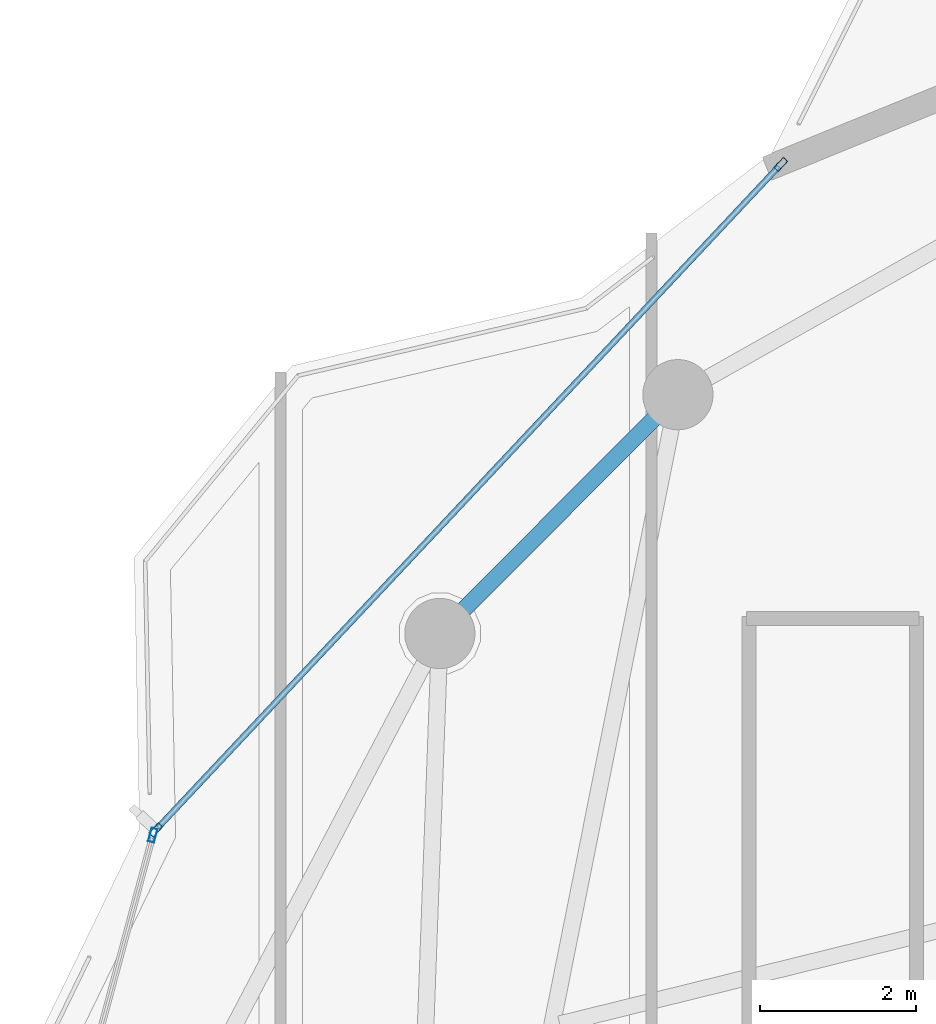
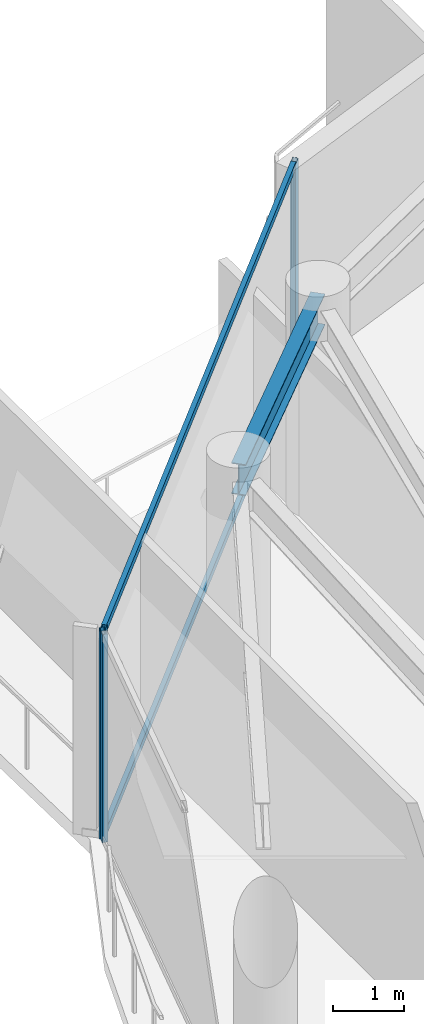
# One storey, part 14 of 23: 5 members, 1 beam, 2 elements without a shape of their own.
"""IFC4 building model written with IfcOpenShell, lengths in metres."""

from ifc_helpers import new_model, si_unit, direction, frame, origin, origin_2d, place, context, subcontext, project, spatial, hollow_rectangle, i_section, extrude, material, layer, layer_set, material_profile, profile_set, type_object, element, aggregate, save


model = new_model("IFC4")

# Units and contexts
model_context = context("Model", 3, precision=1e-05, world=origin(), true_north=direction((0.0, 1.0)))
body_context = subcontext(model_context, "Body", "Model", "MODEL_VIEW")
ifc_project = project(units=[si_unit("LENGTHUNIT", "METRE"), si_unit("AREAUNIT", "SQUARE_METRE"), si_unit("VOLUMEUNIT", "CUBIC_METRE"), si_unit("PLANEANGLEUNIT", "RADIAN"), si_unit("MASSUNIT", "GRAM", prefix="KILO")], contexts=[model_context])

# Site, building, storey
site_placement = place(None, origin())
site = spatial("IfcSite", under=ifc_project, at=site_placement, CompositionType="ELEMENT")
building_placement = place(site_placement, origin())
building = spatial("IfcBuilding", under=site, at=building_placement, Name="Kazevale Care Tower and Concert Hall", CompositionType="ELEMENT")
storey_placement = place(building_placement, frame((0.0, 0.0, 266.199951171875)))
storey = spatial("IfcBuildingStorey", under=building, at=storey_placement, Name="L70", CompositionType="ELEMENT", Elevation=266.199951171875)

# Curtain wall, members
ifc_material_1 = material(Name="Aluminium 6063-T6 and Low-E Glass", Category="aluminium")
ifc_layer_1 = layer(ifc_material_1, 0.179931640625)
ifc_layer_set_1 = layer_set([ifc_layer_1], Name="Aluminium 6063-T6 and Low-E Glass")
curtain_wall_type_1 = type_object("IfcCurtainWallType", Name="Convex Checkerboard Finned Curtain Wall CW-2", PredefinedType="NOTDEFINED", material=ifc_layer_set_1)
curtain_wall_1_placement = place(storey_placement, origin())
curtain_wall_1 = element("IfcCurtainWall", 1, at=curtain_wall_1_placement, inside=storey, type_object=curtain_wall_type_1, Name="cw:L70:f10", PredefinedType="NOTDEFINED")
ifc_material_2 = material(Name="Aluminium 6063-T6", Category="aluminium")
ifc_material_profile_1 = material_profile(ifc_material_2, hollow_rectangle(XDim=0.080078125, YDim=0.179931640625, WallThickness=0.0048828125, at=origin_2d()), Name="ALU80x180x5")
ifc_profile_set_1 = profile_set([ifc_material_profile_1], Name="Aluminium 6063-T6")
member_type_1 = type_object("IfcMemberType", Name="CW-2 Mullion ALU80x180x5", PredefinedType="MULLION", material=ifc_profile_set_1)
member_1_placement = place(storey_placement, frame((18.900390625, 48.793212890625, 0.0), z_axis=(0.0, 0.0, 1.0), x_axis=(-0.728959758943, 0.684556549777, 0.0)))
member_1 = element("IfcMember", 2, at=member_1_placement, type_object=member_type_1, Name="CW-2 mullion 1", PredefinedType="MULLION", context=body_context, shape_type="SweptSolid", body=[
    extrude(hollow_rectangle(XDim=0.080078125, YDim=0.179931640625, WallThickness=0.0048828125, at=origin_2d()), origin(), (0.0, 0.0, 1.0), 3.56005859375),
])
member_2_placement = place(storey_placement, frame((26.90869140625, 57.32080078125, 0.0), z_axis=(0.0, 0.0, 1.0), x_axis=(-0.728959758943, 0.684556549777, 0.0)))
member_2 = element("IfcMember", 3, at=member_2_placement, type_object=member_type_1, Name="CW-2 mullion 2", PredefinedType="MULLION", context=body_context, shape_type="SweptSolid", body=[
    extrude(hollow_rectangle(XDim=0.080078125, YDim=0.179931640625, WallThickness=0.0048828125, at=origin_2d()), origin(), (0.0, 0.0, 1.0), 3.56005859375),
])
ifc_material_profile_2 = material_profile(ifc_material_2, hollow_rectangle(XDim=0.074951171875, YDim=0.1201171875, WallThickness=0.00390625, at=origin_2d()), Name="ALU75x120x4")
ifc_profile_set_2 = profile_set([ifc_material_profile_2], Name="Aluminium 6063-T6")
member_type_2 = type_object("IfcMemberType", Name="CW-2 Transom ALU75x120x4", PredefinedType="USERDEFINED", material=ifc_profile_set_2)
member_3_placement = place(storey_placement, frame((18.927734375, 48.822265625, 0.03759765625), z_axis=(0.684558077832, 0.728958323963, 0.0), x_axis=(-0.728958323963, 0.684558077832, 0.0)))
member_3 = element("IfcMember", 4, at=member_3_placement, type_object=member_type_2, Name="CW-2 transom 1.1", ObjectType="TRANSOM", PredefinedType="USERDEFINED", context=body_context, shape_type="SweptSolid", body=[
    extrude(hollow_rectangle(XDim=0.074951171875, YDim=0.1201171875, WallThickness=0.00390625, at=origin_2d()), origin(), (0.0, 0.0, 1.0), 11.61865234375),
])
member_4_placement = place(storey_placement, frame((18.927734375, 48.822265625, 3.5224609375), z_axis=(0.684558077832, 0.728958323963, 0.0), x_axis=(-0.728958323963, 0.684558077832, 0.0)))
member_4 = element("IfcMember", 5, at=member_4_placement, type_object=member_type_2, Name="CW-2 transom 1.2", ObjectType="TRANSOM", PredefinedType="USERDEFINED", context=body_context, shape_type="SweptSolid", body=[
    extrude(hollow_rectangle(XDim=0.074951171875, YDim=0.1201171875, WallThickness=0.00390625, at=origin_2d()), origin(), (0.0, 0.0, 1.0), 11.61865234375),
])
aggregate(curtain_wall_1, [member_1, member_2, member_3, member_4])

# Curtain wall, member
ifc_layer_2 = layer(ifc_material_1, 0.179931640625)
ifc_layer_set_2 = layer_set([ifc_layer_2], Name="Aluminium 6063-T6 and Low-E Glass")
curtain_wall_type_2 = type_object("IfcCurtainWallType", Name="Waist & Upper Residential Curtain Wall CW-4", PredefinedType="NOTDEFINED", material=ifc_layer_set_2)
curtain_wall_2_placement = place(storey_placement, origin())
curtain_wall_2 = element("IfcCurtainWall", 6, at=curtain_wall_2_placement, inside=storey, type_object=curtain_wall_type_2, Name="cw:L70:f09", PredefinedType="NOTDEFINED")
ifc_material_profile_3 = material_profile(ifc_material_2, hollow_rectangle(XDim=0.080078125, YDim=0.179931640625, WallThickness=0.0048828125, at=origin_2d()), Name="ALU80x180x5")
ifc_profile_set_3 = profile_set([ifc_material_profile_3], Name="Aluminium 6063-T6")
member_type_3 = type_object("IfcMemberType", Name="CW-4 Mullion ALU80x180x5", PredefinedType="MULLION", material=ifc_profile_set_3)
member_5_placement = place(storey_placement, frame((18.862548828125, 48.725341796875, 0.0), z_axis=(0.0, 0.0, 1.0), x_axis=(-0.965728279922, 0.259555175944, 0.0)))
member_5 = element("IfcMember", 7, at=member_5_placement, type_object=member_type_3, Name="CW-4 mullion 2", PredefinedType="MULLION", context=body_context, shape_type="SweptSolid", body=[
    extrude(hollow_rectangle(XDim=0.080078125, YDim=0.179931640625, WallThickness=0.0048828125, at=origin_2d()), origin(), (0.0, 0.0, 1.0), 3.56005859375),
])
aggregate(curtain_wall_2, [member_5])

# Beam
ifc_material_3 = material(Name="Steel ASTM A572 Gr 50", Category="steel")
ifc_material_profile_4 = material_profile(ifc_material_3, i_section(OverallWidth=0.208984375, OverallDepth=0.532958984375, WebThickness=0.01025390625, FlangeThickness=0.015625, at=origin_2d()), Name="W530x92")
ifc_profile_set_4 = profile_set([ifc_material_profile_4], Name="Steel ASTM A572 Gr 50")
beam_type = type_object("IfcBeamType", Name="Upper Ring Beam W530x92", PredefinedType="BEAM", material=ifc_profile_set_4)
beam_placement = place(storey_placement, frame((25.590087890625, 54.3701171875, 3.29345703125), z_axis=(-0.705947429832, -0.708264234812, 0.0), x_axis=(0.708264234812, -0.705947429832, 0.0)))
element("IfcBeam", 8, at=beam_placement, inside=storey, type_object=beam_type, Name="beam:L70:ring:07", PredefinedType="BEAM", context=body_context, shape_type="SweptSolid", body=[
    extrude(i_section(OverallWidth=0.208984375, OverallDepth=0.532958984375, WebThickness=0.01025390625, FlangeThickness=0.015625, at=origin_2d()), origin(), (0.0, 0.0, 1.0), 4.320556640625),
])

save(model, "model.ifc")
